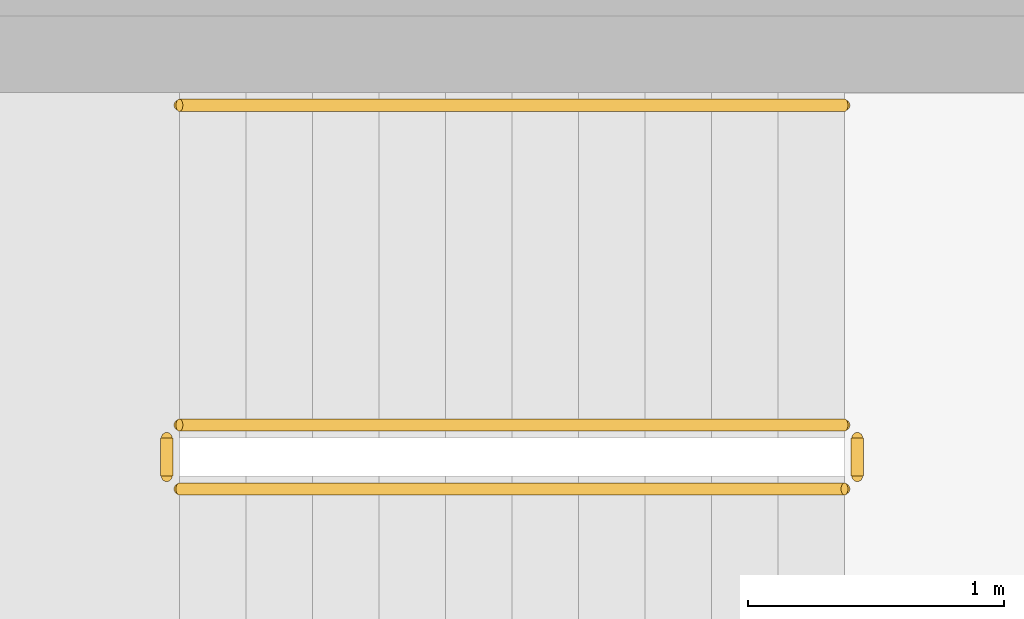
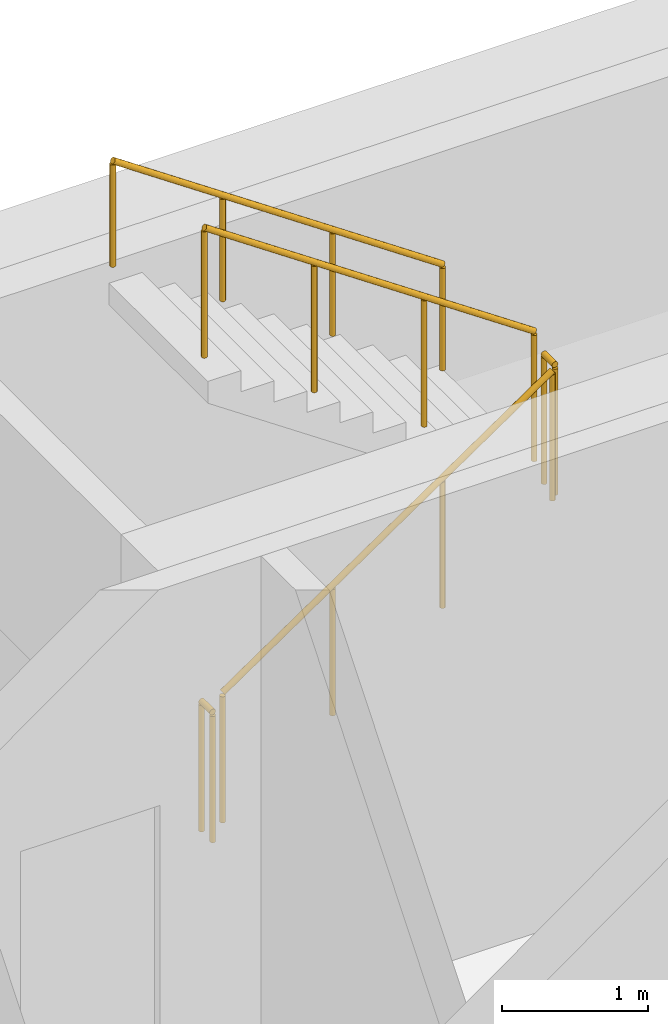
# One storey, part 8 of 8: 5 railings.
"""IFC4 building model written with IfcOpenShell, lengths in metres."""

from ifc_helpers import new_model, si_unit, direction, frame, origin, origin_2d, place, context, subcontext, project, spatial, circle, extrude, material, type_object, element, save


model = new_model("IFC4")

# Units and contexts
model_context = context("Model", 3, precision=1e-05, world=origin(), true_north=direction((0.0, 1.0)))
body_context = subcontext(model_context, "Body", "Model", "MODEL_VIEW")
ifc_project = project(units=[si_unit("LENGTHUNIT", "METRE"), si_unit("AREAUNIT", "SQUARE_METRE"), si_unit("VOLUMEUNIT", "CUBIC_METRE"), si_unit("PLANEANGLEUNIT", "RADIAN"), si_unit("MASSUNIT", "GRAM", prefix="KILO")], contexts=[model_context])

# Site, building, storey
site_placement = place(None, origin())
site = spatial("IfcSite", under=ifc_project, at=site_placement, CompositionType="ELEMENT")
building_placement = place(site_placement, origin())
building = spatial("IfcBuilding", under=site, at=building_placement, Name="White Candle Pilgrim Tower", CompositionType="ELEMENT")
storey_placement = place(building_placement, frame((0.0, 0.0, 313.89990234375)))
storey = spatial("IfcBuildingStorey", under=building, at=storey_placement, Name="L74", CompositionType="ELEMENT", Elevation=313.89990234375)

# Railings
ifc_material = material(Name="Stainless steel", Category="steel")
railing_type_1 = type_object("IfcRailingType", Name="Stair guard stainless steel 1100 mm", PredefinedType="GUARDRAIL", material=ifc_material)
railing_1_placement = place(storey_placement, frame((69.39990234375, 85.550048828125, 0.177490234375)))
element("IfcRailing", 1, at=railing_1_placement, inside=storey, type_object=railing_type_1, Name="L74 ST3 stair guard 1", PredefinedType="GUARDRAIL", context=body_context, shape_type="SweptSolid", body=[
    extrude(circle(Radius=0.02392578125, at=origin_2d()), frame((0.0, 0.0, 1.076171875), z_axis=(0.826240473404, 0.0, 0.563317565952), x_axis=(0.0, 1.0, 0.0)), (0.0, 0.0, 1.0), 3.14697265625),
    extrude(circle(Radius=0.02099609375, at=origin_2d()), origin(), (0.0, 0.0, 1.0), 1.052001953125),
    extrude(circle(Radius=0.02099609375, at=origin_2d()), frame((0.86669921875, 0.0, 0.5908203125)), (0.0, 0.0, 1.0), 1.052001953125),
    extrude(circle(Radius=0.02099609375, at=origin_2d()), frame((1.7333984375, 0.0, 1.181884765625)), (0.0, 0.0, 1.0), 1.052001953125),
    extrude(circle(Radius=0.02099609375, at=origin_2d()), frame((2.60009765625, 0.0, 1.772705078125)), (0.0, 0.0, 1.0), 1.052001953125),
])
railing_2_placement = place(storey_placement, frame((72.050048828125, 85.60009765625, 1.9501953125)))
element("IfcRailing", 2, at=railing_2_placement, inside=storey, type_object=railing_type_1, Name="L74 ST3 stair guard 2", PredefinedType="GUARDRAIL", context=body_context, shape_type="SweptSolid", body=[
    extrude(circle(Radius=0.02392578125, at=origin_2d()), frame((0.0, 0.0, 1.076171875), z_axis=(0.0, 1.0, 0.0), x_axis=(-1.0, 0.0, 0.0)), (0.0, 0.0, 1.0), 0.14990234375),
    extrude(circle(Radius=0.02099609375, at=origin_2d()), origin(), (0.0, 0.0, 1.0), 1.052001953125),
    extrude(circle(Radius=0.02099609375, at=origin_2d()), frame((0.0, 0.14990234375, 0.0)), (0.0, 0.0, 1.0), 1.052001953125),
])
railing_3_placement = place(storey_placement, frame((72.0, 85.800048828125, 2.12744140625)))
element("IfcRailing", 3, at=railing_3_placement, inside=storey, type_object=railing_type_1, Name="L74 ST3 stair guard 3", PredefinedType="GUARDRAIL", context=body_context, shape_type="SweptSolid", body=[
    extrude(circle(Radius=0.02392578125, at=origin_2d()), frame((0.0, 0.0, 1.076171875), z_axis=(-0.826240473404, 0.0, 0.563317565952), x_axis=(0.0, -1.0, 0.0)), (0.0, 0.0, 1.0), 3.14697265625),
    extrude(circle(Radius=0.02099609375, at=origin_2d()), origin(), (0.0, 0.0, 1.0), 1.052001953125),
    extrude(circle(Radius=0.02099609375, at=origin_2d()), frame((-0.86669921875, 0.0, 0.5908203125)), (0.0, 0.0, 1.0), 1.052001953125),
    extrude(circle(Radius=0.02099609375, at=origin_2d()), frame((-1.7333984375, 0.0, 1.181884765625)), (0.0, 0.0, 1.0), 1.052001953125),
    extrude(circle(Radius=0.02099609375, at=origin_2d()), frame((-2.60009765625, 0.0, 1.772705078125)), (0.0, 0.0, 1.0), 1.052001953125),
])
railing_4_placement = place(storey_placement, frame((69.35009765625, 85.60009765625, 0.0)))
element("IfcRailing", 4, at=railing_4_placement, inside=storey, type_object=railing_type_1, Name="L74 ST3 stair guard 4", PredefinedType="GUARDRAIL", context=body_context, shape_type="SweptSolid", body=[
    extrude(circle(Radius=0.02392578125, at=origin_2d()), frame((0.0, 0.0, 1.076171875), z_axis=(0.0, 1.0, 0.0), x_axis=(-1.0, 0.0, 0.0)), (0.0, 0.0, 1.0), 0.14990234375),
    extrude(circle(Radius=0.02099609375, at=origin_2d()), origin(), (0.0, 0.0, 1.0), 1.052001953125),
    extrude(circle(Radius=0.02099609375, at=origin_2d()), frame((0.0, 0.14990234375, 0.0)), (0.0, 0.0, 1.0), 1.052001953125),
])
railing_type_2 = type_object("IfcRailingType", Name="Stair handrail stainless steel", PredefinedType="HANDRAIL", material=ifc_material)
railing_5_placement = place(storey_placement, frame((72.0, 87.050048828125, 2.12744140625)))
element("IfcRailing", 5, at=railing_5_placement, inside=storey, type_object=railing_type_2, Name="L74 ST3 stair handrail 2", PredefinedType="HANDRAIL", context=body_context, shape_type="SweptSolid", body=[
    extrude(circle(Radius=0.02392578125, at=origin_2d()), frame((0.0, 0.0, 0.8759765625), z_axis=(-0.826240473404, 0.0, 0.563317565952), x_axis=(0.0, -1.0, 0.0)), (0.0, 0.0, 1.0), 3.14697265625),
    extrude(circle(Radius=0.02099609375, at=origin_2d()), origin(), (0.0, 0.0, 1.0), 0.851806640625),
    extrude(circle(Radius=0.02099609375, at=origin_2d()), frame((-0.86669921875, 0.0, 0.5908203125)), (0.0, 0.0, 1.0), 0.851806640625),
    extrude(circle(Radius=0.02099609375, at=origin_2d()), frame((-1.7333984375, 0.0, 1.181884765625)), (0.0, 0.0, 1.0), 0.851806640625),
    extrude(circle(Radius=0.02099609375, at=origin_2d()), frame((-2.60009765625, 0.0, 1.772705078125)), (0.0, 0.0, 1.0), 0.851806640625),
])

save(model, "model.ifc")
